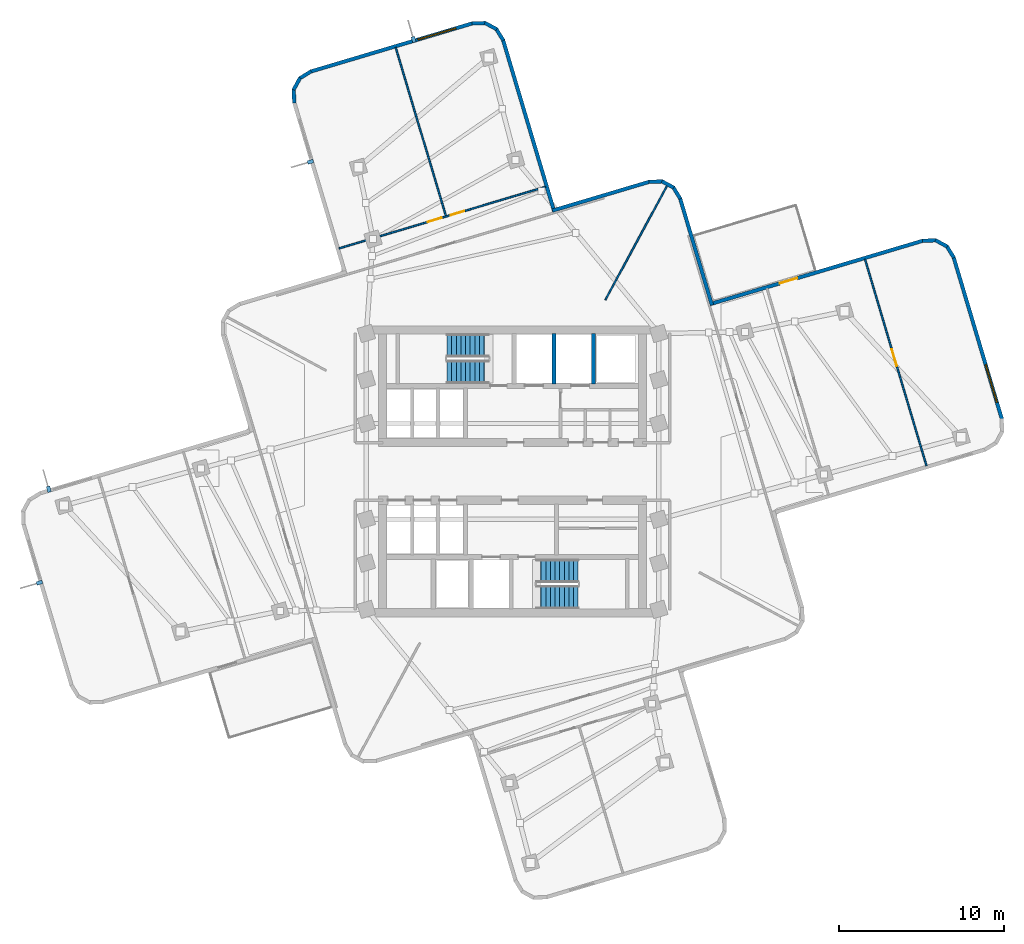
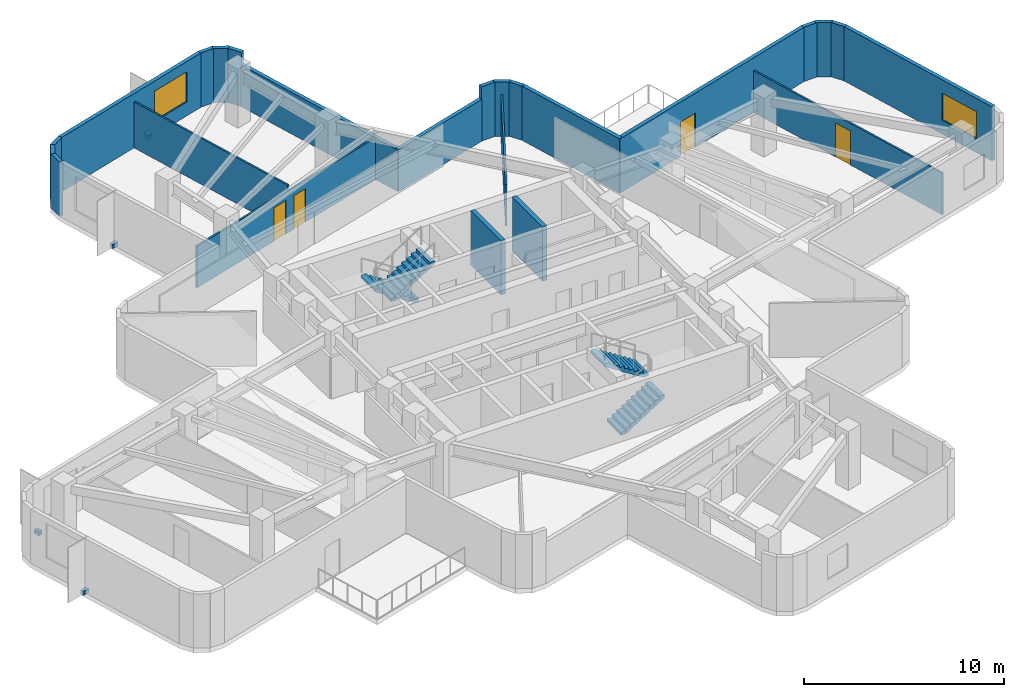
# One storey, part 5 of 8: 24 walls, 4 discrete accessories, 4 doors, 4 stair flights, 2 windows, 6 openings, 2 elements without a shape of their own.
"""IFC4 building model written with IfcOpenShell, lengths in metres."""

from ifc_helpers import new_model, si_unit, direction, frame, frame_2d, origin, origin_2d, place, context, subcontext, project, spatial, polyline, rectangle, outline, extrude, material, layer, layer_set, type_object, element, fill, aggregate, save


model = new_model("IFC4")

# Units and contexts
model_context = context("Model", 3, precision=1e-05, world=origin(), true_north=direction((0.0, 1.0)))
body_context = subcontext(model_context, "Body", "Model", "MODEL_VIEW")
ifc_project = project(units=[si_unit("LENGTHUNIT", "METRE"), si_unit("AREAUNIT", "SQUARE_METRE"), si_unit("VOLUMEUNIT", "CUBIC_METRE"), si_unit("PLANEANGLEUNIT", "RADIAN"), si_unit("MASSUNIT", "GRAM", prefix="KILO")], contexts=[model_context])

# Site, building, storey
site_placement = place(None, origin())
site = spatial("IfcSite", under=ifc_project, at=site_placement, CompositionType="ELEMENT")
building_placement = place(site_placement, origin())
building = spatial("IfcBuilding", under=site, at=building_placement, Name="Solmarez Civic Tower", CompositionType="ELEMENT")
storey_placement = place(building_placement, frame((0.0, 0.0, 145.080078125)))
storey = spatial("IfcBuildingStorey", under=building, at=storey_placement, Name="L38", CompositionType="ELEMENT", Elevation=145.080078125)

# Walls
ifc_material_1 = material(Name="Precast concrete C40/50", Category="concrete")
ifc_layer_1 = layer(ifc_material_1, 0.219970703125)
ifc_layer_set_1 = layer_set([ifc_layer_1], Name="Precast concrete C40/50")
wall_type_1 = type_object("IfcWallType", Name="WALL-EXT-220", PredefinedType="SOLIDWALL", material=ifc_layer_set_1)
wall_1_placement = place(storey_placement, frame((-13.221923828125, 22.31396484375, 0.0), z_axis=(0.0, 0.0, 1.0), x_axis=(-0.028969101418, 0.999580307511, 0.0)))
element("IfcWall", 1, at=wall_1_placement, inside=storey, type_object=wall_type_1, Name="L38 Exterior Precast Wall 21", PredefinedType="SOLIDWALL", context=body_context, shape_type="SweptSolid", body=[
    extrude(rectangle(XDim=0.834228515625, YDim=0.219970703125, at=frame_2d((0.4169921875, 0.0))), origin(), (0.0, 0.0, 1.0), 3.31982421875),
])
wall_2_placement = place(storey_placement, frame((-13.257080078125, 23.10107421875, 0.0), z_axis=(0.0, 0.0, 1.0), x_axis=(0.475928115507, 0.879484183411, 0.0)))
element("IfcWall", 2, at=wall_2_placement, inside=storey, type_object=wall_type_1, Name="L38 Exterior Precast Wall 22", PredefinedType="SOLIDWALL", context=body_context, shape_type="SweptSolid", body=[
    extrude(rectangle(XDim=0.81982421875, YDim=0.219970703125, at=frame_2d((0.409912109375, 0.0))), origin(), (0.0, 0.0, 1.0), 3.31982421875),
])
wall_3_placement = place(storey_placement, frame((-12.89990234375, 23.787109375, 0.0), z_axis=(0.0, 0.0, 1.0), x_axis=(0.852251459863, 0.52313234383, 0.0)))
element("IfcWall", 3, at=wall_3_placement, inside=storey, type_object=wall_type_1, Name="L38 Exterior Precast Wall 23", PredefinedType="SOLIDWALL", context=body_context, shape_type="SweptSolid", body=[
    extrude(rectangle(XDim=0.8330078125, YDim=0.219970703125, at=frame_2d((0.41650390625, 0.0))), origin(), (0.0, 0.0, 1.0), 3.31982421875),
])

# Wall, opening, window
wall_4_placement = place(storey_placement, frame((-12.235107421875, 24.202880859375, 0.0), z_axis=(0.0, 0.0, 1.0), x_axis=(0.958315018626, 0.28571371174, 0.0)))
wall_4 = element("IfcWall", 4, at=wall_4_placement, inside=storey, type_object=wall_type_1, Name="L38 Exterior Precast Wall 24", PredefinedType="SOLIDWALL", context=body_context, shape_type="SweptSolid", body=[
    extrude(rectangle(XDim=10.2412109375, YDim=0.219970703125, at=frame_2d((5.12060546875, 0.0))), origin(), (0.0, 0.0, 1.0), 3.31982421875),
])
opening_1_placement = place(wall_4_placement, frame((6.7880859375, 0.0, 0.85009765625)))
opening_1 = element("IfcOpeningElement", 5, at=opening_1_placement, cuts=wall_4, Name="Opening W-06", PredefinedType="OPENING", context=body_context, shape_type="SweptSolid", body=[
    extrude(rectangle(XDim=2.39990234375, YDim=1.85009765625, at=frame_2d((1.199951171875, 0.925048828125))), frame((0.0, 0.119873046875, 0.0), z_axis=(0.0, -1.0, 0.0), x_axis=(1.0, 0.0, 0.0)), (0.0, 0.0, 1.0), 0.239990234375),
])
ifc_material_2 = material(Name="Solar Control Bronze-Tinted Insulating Glass", Category="glass")
window_type_1 = type_object("IfcWindowType", Name="WIN-2400X1850", PartitioningType="SINGLE_PANEL", PredefinedType="WINDOW", material=ifc_material_2)
window_1_placement = place(opening_1_placement, origin())
window_1 = element("IfcWindow", 6, at=window_1_placement, inside=storey, type_object=window_type_1, Name="L38 Exterior Facade Window 24", OverallHeight=1.85009765625, OverallWidth=2.39990234375, PartitioningType="SINGLE_PANEL", PredefinedType="WINDOW", context=body_context, shape_type="SweptSolid", body=[
    extrude(rectangle(XDim=2.39990234375, YDim=1.85009765625, at=frame_2d((1.199951171875, 0.925048828125))), frame((0.0, 0.030029296875, 0.0), z_axis=(0.0, -1.0, 0.0), x_axis=(1.0, 0.0, 0.0)), (0.0, 0.0, 1.0), 0.06005859375),
])
fill(opening_1, window_1)

# Walls
wall_5_placement = place(storey_placement, frame((-2.469970703125, 27.12109375, 0.0), z_axis=(0.0, 0.0, 1.0), x_axis=(0.999588738122, 0.028676726094, 0.0)))
element("IfcWall", 7, at=wall_5_placement, inside=storey, type_object=wall_type_1, Name="L38 Exterior Precast Wall 25", PredefinedType="SOLIDWALL", context=body_context, shape_type="SweptSolid", body=[
    extrude(rectangle(XDim=0.834228515625, YDim=0.219970703125, at=frame_2d((0.4169921875, 0.0))), origin(), (0.0, 0.0, 1.0), 3.31982421875),
])
wall_6_placement = place(storey_placement, frame((-1.68310546875, 27.156005859375, 0.0), z_axis=(0.0, 0.0, 1.0), x_axis=(0.879676210785, -0.475573090259, 0.0)))
element("IfcWall", 8, at=wall_6_placement, inside=storey, type_object=wall_type_1, Name="L38 Exterior Precast Wall 26", PredefinedType="SOLIDWALL", context=body_context, shape_type="SweptSolid", body=[
    extrude(rectangle(XDim=0.81982421875, YDim=0.219970703125, at=frame_2d((0.409912109375, 0.0))), origin(), (0.0, 0.0, 1.0), 3.31982421875),
])
wall_7_placement = place(storey_placement, frame((-0.9970703125, 26.799072265625, 0.0), z_axis=(0.0, 0.0, 1.0), x_axis=(0.524195456684, -0.851597982144, 0.0)))
element("IfcWall", 9, at=wall_7_placement, inside=storey, type_object=wall_type_1, Name="L38 Exterior Precast Wall 27", PredefinedType="SOLIDWALL", context=body_context, shape_type="SweptSolid", body=[
    extrude(rectangle(XDim=0.833740234375, YDim=0.219970703125, at=frame_2d((0.4169921875, 0.0))), origin(), (0.0, 0.0, 1.0), 3.31982421875),
])
wall_8_placement = place(storey_placement, frame((-0.580078125, 26.134033203125, 0.0), z_axis=(0.0, 0.0, 1.0), x_axis=(0.285596101976, -0.958350075148, 0.0)))
element("IfcWall", 10, at=wall_8_placement, inside=storey, type_object=wall_type_1, Name="L38 Exterior Precast Wall 28", PredefinedType="SOLIDWALL", context=body_context, shape_type="SweptSolid", body=[
    extrude(rectangle(XDim=10.858154296875, YDim=0.219970703125, at=frame_2d((5.42919921875, 0.0))), origin(), (0.0, 0.0, 1.0), 2.5498046875),
])
wall_9_placement = place(storey_placement, frame((2.412109375, 15.787109375, 0.0), z_axis=(0.0, 0.0, 1.0), x_axis=(0.958315274342, 0.285712854037, 0.0)))
element("IfcWall", 11, at=wall_9_placement, inside=storey, type_object=wall_type_1, Name="L38 Exterior Precast Wall 31", PredefinedType="SOLIDWALL", context=body_context, shape_type="SweptSolid", body=[
    extrude(rectangle(XDim=6.138671875, YDim=0.219970703125, at=frame_2d((3.0693359375, 0.0))), origin(), (0.0, 0.0, 1.0), 2.5498046875),
])
wall_10_placement = place(storey_placement, frame((8.24609375, 17.532958984375, 0.0), z_axis=(0.0, 0.0, 1.0), x_axis=(0.999588738122, 0.028676726094, 0.0)))
element("IfcWall", 12, at=wall_10_placement, inside=storey, type_object=wall_type_1, Name="L38 Exterior Precast Wall 32", PredefinedType="SOLIDWALL", context=body_context, shape_type="SweptSolid", body=[
    extrude(rectangle(XDim=0.834228515625, YDim=0.219970703125, at=frame_2d((0.4169921875, 0.0))), origin(), (0.0, 0.0, 1.0), 3.31982421875),
])
wall_11_placement = place(storey_placement, frame((9.032958984375, 17.568115234375, 0.0), z_axis=(0.0, 0.0, 1.0), x_axis=(0.879484183411, -0.475928115507, 0.0)))
element("IfcWall", 13, at=wall_11_placement, inside=storey, type_object=wall_type_1, Name="L38 Exterior Precast Wall 33", PredefinedType="SOLIDWALL", context=body_context, shape_type="SweptSolid", body=[
    extrude(rectangle(XDim=0.81982421875, YDim=0.219970703125, at=frame_2d((0.409912109375, 0.0))), origin(), (0.0, 0.0, 1.0), 3.31982421875),
])
wall_12_placement = place(storey_placement, frame((9.718994140625, 17.2109375, 0.0), z_axis=(0.0, 0.0, 1.0), x_axis=(0.524195456684, -0.851597982144, 0.0)))
element("IfcWall", 14, at=wall_12_placement, inside=storey, type_object=wall_type_1, Name="L38 Exterior Precast Wall 34", PredefinedType="SOLIDWALL", context=body_context, shape_type="SweptSolid", body=[
    extrude(rectangle(XDim=0.833740234375, YDim=0.219970703125, at=frame_2d((0.4169921875, 0.0))), origin(), (0.0, 0.0, 1.0), 3.31982421875),
])
wall_13_placement = place(storey_placement, frame((10.135986328125, 16.5458984375, 0.0), z_axis=(0.0, 0.0, 1.0), x_axis=(0.285607207592, -0.958346765514, 0.0)))
element("IfcWall", 15, at=wall_13_placement, inside=storey, type_object=wall_type_1, Name="L38 Exterior Precast Wall 35", PredefinedType="SOLIDWALL", context=body_context, shape_type="SweptSolid", body=[
    extrude(rectangle(XDim=6.75732421875, YDim=0.219970703125, at=frame_2d((3.378662109375, 0.0))), origin(), (0.0, 0.0, 1.0), 3.31982421875),
])

# Wall, opening, door
wall_14_placement = place(storey_placement, frame((11.95703125, 10.12890625, 0.0), z_axis=(0.0, 0.0, 1.0), x_axis=(0.958343962332, 0.285616613419, 0.0)))
wall_14 = element("IfcWall", 16, at=wall_14_placement, inside=storey, type_object=wall_type_1, Name="L38 Exterior Precast Wall 38", PredefinedType="SOLIDWALL", context=body_context, shape_type="SweptSolid", body=[
    extrude(rectangle(XDim=13.45849609375, YDim=0.219970703125, at=frame_2d((6.729248046875, 0.0))), origin(), (0.0, 0.0, 1.0), 3.31982421875),
])
opening_2_placement = place(wall_14_placement, frame((4.39990234375, 0.0, 0.0)))
opening_2 = element("IfcOpeningElement", 17, at=opening_2_placement, cuts=wall_14, Name="Opening D-06", PredefinedType="OPENING", context=body_context, shape_type="SweptSolid", body=[
    extrude(rectangle(XDim=1.10009765625, YDim=2.10009765625, at=frame_2d((0.550048828125, 1.050048828125))), frame((0.0, 0.119873046875, 0.0), z_axis=(0.0, -1.0, 0.0), x_axis=(1.0, 0.0, 0.0)), (0.0, 0.0, 1.0), 0.239990234375),
])
ifc_material_3 = material(Name="Bronze Anodised Aluminium Glazed Terrace Door", Category="aluminium")
door_type_1 = type_object("IfcDoorType", Name="DOOR-TERR-1100", OperationType="NOTDEFINED", PredefinedType="DOOR", material=ifc_material_3)
door_1_placement = place(opening_2_placement, origin())
door_1 = element("IfcDoor", 18, at=door_1_placement, inside=storey, type_object=door_type_1, Name="L38 Outdoor Terrace Glazed Door", OperationType="SINGLE_SWING_RIGHT", OverallHeight=2.10009765625, OverallWidth=1.10009765625, PredefinedType="DOOR", context=body_context, shape_type="SweptSolid", body=[
    extrude(rectangle(XDim=1.10009765625, YDim=2.10009765625, at=frame_2d((0.550048828125, 1.050048828125))), frame((0.0, 0.02490234375, 0.0), z_axis=(0.0, -1.0, 0.0), x_axis=(1.0, 0.0, 0.0)), (0.0, 0.0, 1.0), 0.050048828125),
])
fill(opening_2, door_1)

# Walls
wall_15_placement = place(storey_placement, frame((24.805908203125, 13.965087890625, 0.0), z_axis=(0.0, 0.0, 1.0), x_axis=(0.999587773882, 0.028710317069, 0.0)))
element("IfcWall", 19, at=wall_15_placement, inside=storey, type_object=wall_type_1, Name="L38 Exterior Precast Wall 39", PredefinedType="SOLIDWALL", context=body_context, shape_type="SweptSolid", body=[
    extrude(rectangle(XDim=0.833251953125, YDim=0.219970703125, at=frame_2d((0.41650390625, 0.0))), origin(), (0.0, 0.0, 1.0), 3.31982421875),
])
wall_16_placement = place(storey_placement, frame((25.592041015625, 14.0, 0.0), z_axis=(0.0, 0.0, 1.0), x_axis=(0.879608832869, -0.47569769932, 0.0)))
element("IfcWall", 20, at=wall_16_placement, inside=storey, type_object=wall_type_1, Name="L38 Exterior Precast Wall 40", PredefinedType="SOLIDWALL", context=body_context, shape_type="SweptSolid", body=[
    extrude(rectangle(XDim=0.819580078125, YDim=0.219970703125, at=frame_2d((0.40966796875, 0.0))), origin(), (0.0, 0.0, 1.0), 3.31982421875),
])
wall_17_placement = place(storey_placement, frame((26.278076171875, 13.64306640625, 0.0), z_axis=(0.0, 0.0, 1.0), x_axis=(0.524195456684, -0.851597982144, 0.0)))
element("IfcWall", 21, at=wall_17_placement, inside=storey, type_object=wall_type_1, Name="L38 Exterior Precast Wall 41", PredefinedType="SOLIDWALL", context=body_context, shape_type="SweptSolid", body=[
    extrude(rectangle(XDim=0.833740234375, YDim=0.219970703125, at=frame_2d((0.4169921875, 0.0))), origin(), (0.0, 0.0, 1.0), 3.31982421875),
])

# Wall, opening, window
wall_18_placement = place(storey_placement, frame((26.695068359375, 12.97802734375, 0.0), z_axis=(0.0, 0.0, 1.0), x_axis=(0.285720239165, -0.958313072504, 0.0)))
wall_18 = element("IfcWall", 22, at=wall_18_placement, inside=storey, type_object=wall_type_1, Name="L38 Exterior Precast Wall 42", PredefinedType="SOLIDWALL", context=body_context, shape_type="SweptSolid", body=[
    extrude(rectangle(XDim=10.240966796875, YDim=0.219970703125, at=frame_2d((5.12060546875, 0.0))), origin(), (0.0, 0.0, 1.0), 3.31982421875),
])
opening_3_placement = place(wall_18_placement, frame((6.7880859375, 0.0, 0.85009765625)))
opening_3 = element("IfcOpeningElement", 23, at=opening_3_placement, cuts=wall_18, Name="Opening W-10", PredefinedType="OPENING", context=body_context, shape_type="SweptSolid", body=[
    extrude(rectangle(XDim=2.39990234375, YDim=1.64990234375, at=frame_2d((1.199951171875, 0.824951171875))), frame((0.0, 0.119873046875, 0.0), z_axis=(0.0, -1.0, 0.0), x_axis=(1.0, 0.0, 0.0)), (0.0, 0.0, 1.0), 0.239990234375),
])
window_type_2 = type_object("IfcWindowType", Name="WIN-2400X1650", PartitioningType="SINGLE_PANEL", PredefinedType="WINDOW", material=ifc_material_2)
window_2_placement = place(opening_3_placement, origin())
window_2 = element("IfcWindow", 24, at=window_2_placement, inside=storey, type_object=window_type_2, Name="L38 Exterior Facade Window 42", OverallHeight=1.64990234375, OverallWidth=2.39990234375, PartitioningType="SINGLE_PANEL", PredefinedType="WINDOW", context=body_context, shape_type="SweptSolid", body=[
    extrude(rectangle(XDim=2.39990234375, YDim=1.64990234375, at=frame_2d((1.199951171875, 0.824951171875))), frame((0.0, 0.030029296875, 0.0), z_axis=(0.0, -1.0, 0.0), x_axis=(1.0, 0.0, 0.0)), (0.0, 0.0, 1.0), 0.06005859375),
])
fill(opening_3, window_2)

# Wall
ifc_material_4 = material(Name="Gypsum Board Acoustic Steel-Stud Partition", Category="steel")
ifc_layer_2 = layer(ifc_material_4, 0.10009765625)
ifc_layer_set_2 = layer_set([ifc_layer_2], Name="Gypsum Board Acoustic Steel-Stud Partition")
wall_type_2 = type_object("IfcWallType", Name="WALL-INT-PART-100", PredefinedType="PARTITIONING", material=ifc_layer_set_2)
wall_19_placement = place(storey_placement, frame((5.612060546875, 10.3798828125, 0.0), z_axis=(0.0, 0.0, 1.0), x_axis=(0.475666815962, 0.879625534073, 0.0)))
element("IfcWall", 25, at=wall_19_placement, inside=storey, type_object=wall_type_2, Name="L38 Interior Partition PT-L38-QDIV-1", PredefinedType="PARTITIONING", context=body_context, shape_type="SweptSolid", body=[
    extrude(rectangle(XDim=7.875, YDim=0.10009765625, at=frame_2d((3.9375, 0.0))), origin(), (0.0, 0.0, 1.0), 2.5498046875),
])

# Wall, opening, door
wall_20_placement = place(storey_placement, frame((21.330078125, 12.843994140625, 0.0), z_axis=(0.0, 0.0, 1.0), x_axis=(0.285674008308, -0.958326854981, 0.0)))
wall_20 = element("IfcWall", 26, at=wall_20_placement, inside=storey, type_object=wall_type_2, Name="L38 Interior Partition PT-L38-E-SC2", PredefinedType="PARTITIONING", context=body_context, shape_type="SweptSolid", body=[
    extrude(rectangle(XDim=13.050048828125, YDim=0.10009765625, at=frame_2d((6.52490234375, 0.0))), origin(), (0.0, 0.0, 1.0), 2.5498046875),
])
opening_4_placement = place(wall_20_placement, frame((5.68994140625, 0.0, 0.0)))
opening_4 = element("IfcOpeningElement", 27, at=opening_4_placement, cuts=wall_20, Name="Opening D-13", PredefinedType="OPENING", context=body_context, shape_type="SweptSolid", body=[
    extrude(rectangle(XDim=1.050048828125, YDim=2.080078125, at=frame_2d((0.52490234375, 1.0400390625))), frame((0.0, 0.06005859375, 0.0), z_axis=(0.0, -1.0, 0.0), x_axis=(1.0, 0.0, 0.0)), (0.0, 0.0, 1.0), 0.1201171875),
])
ifc_material_5 = material(Name="Timber Directorate Office Door", Category="wood")
door_type_2 = type_object("IfcDoorType", Name="DOOR-INT-1050", OperationType="NOTDEFINED", PredefinedType="DOOR", material=ifc_material_5)
door_2_placement = place(opening_4_placement, origin())
door_2 = element("IfcDoor", 28, at=door_2_placement, inside=storey, type_object=door_type_2, Name="L38 Legal Counselling Room East Door", OperationType="SINGLE_SWING_RIGHT", OverallHeight=2.080078125, OverallWidth=1.050048828125, PredefinedType="DOOR", context=body_context, shape_type="SweptSolid", body=[
    extrude(rectangle(XDim=1.050048828125, YDim=2.080078125, at=frame_2d((0.52490234375, 1.0400390625))), frame((0.0, 0.02490234375, 0.0), z_axis=(0.0, -1.0, 0.0), x_axis=(1.0, 0.0, 0.0)), (0.0, 0.0, 1.0), 0.050048828125),
])
fill(opening_4, door_2)

# Wall
wall_21_placement = place(storey_placement, frame((-4.0439453125, 15.489990234375, 0.0), z_axis=(0.0, 0.0, 1.0), x_axis=(-0.285623556367, 0.958341893088, 0.0)))
element("IfcWall", 29, at=wall_21_placement, inside=storey, type_object=wall_type_2, Name="L38 Interior Partition PT-L38-N-TSP", PredefinedType="PARTITIONING", context=body_context, shape_type="SweptSolid", body=[
    extrude(rectangle(XDim=10.615234375, YDim=0.10009765625, at=frame_2d((5.3076171875, 0.0))), origin(), (0.0, 0.0, 1.0), 2.81201171875),
])

# Wall, openings, doors
wall_22_placement = place(storey_placement, frame((1.99609375, 17.22802734375, 0.0), z_axis=(0.0, 0.0, 1.0), x_axis=(-0.958326854981, -0.285674008308, 0.0)))
wall_22 = element("IfcWall", 30, at=wall_22_placement, inside=storey, type_object=wall_type_2, Name="L38 Interior Partition PT-L38-N-SCUT", PredefinedType="PARTITIONING", context=body_context, shape_type="SweptSolid", body=[
    extrude(rectangle(XDim=13.050048828125, YDim=0.10009765625, at=frame_2d((6.52490234375, 0.0))), origin(), (0.0, 0.0, 1.0), 2.5498046875),
])
opening_5_placement = place(wall_22_placement, frame((5.135009765625, 0.0, 0.0)))
opening_5 = element("IfcOpeningElement", 31, at=opening_5_placement, cuts=wall_22, Name="Opening D-14", PredefinedType="OPENING", context=body_context, shape_type="SweptSolid", body=[
    extrude(rectangle(XDim=0.860107421875, YDim=2.0400390625, at=frame_2d((0.43017578125, 1.02001953125))), frame((0.0, 0.06005859375, 0.0), z_axis=(0.0, -1.0, 0.0), x_axis=(1.0, 0.0, 0.0)), (0.0, 0.0, 1.0), 0.1201171875),
])
opening_6_placement = place(wall_22_placement, frame((6.574951171875, 0.0, 0.0)))
opening_6 = element("IfcOpeningElement", 32, at=opening_6_placement, cuts=wall_22, Name="Opening D-14", PredefinedType="OPENING", context=body_context, shape_type="SweptSolid", body=[
    extrude(rectangle(XDim=0.860107421875, YDim=2.0400390625, at=frame_2d((0.43017578125, 1.02001953125))), frame((0.0, 0.06005859375, 0.0), z_axis=(0.0, -1.0, 0.0), x_axis=(1.0, 0.0, 0.0)), (0.0, 0.0, 1.0), 0.1201171875),
])
ifc_material_6 = material(Name="Timber Storage and Pantry Door", Category="wood")
door_type_3 = type_object("IfcDoorType", Name="DOOR-INT-850", OperationType="NOTDEFINED", PredefinedType="DOOR", material=ifc_material_6)
door_3_placement = place(opening_5_placement, origin())
door_3 = element("IfcDoor", 33, at=door_3_placement, inside=storey, type_object=door_type_3, Name="L38 Legal Counselling Room Third North Door", OperationType="SINGLE_SWING_RIGHT", OverallHeight=2.0400390625, OverallWidth=0.860107421875, PredefinedType="DOOR", context=body_context, shape_type="SweptSolid", body=[
    extrude(rectangle(XDim=0.860107421875, YDim=2.0400390625, at=frame_2d((0.43017578125, 1.02001953125))), frame((0.0, 0.02490234375, 0.0), z_axis=(0.0, -1.0, 0.0), x_axis=(1.0, 0.0, 0.0)), (0.0, 0.0, 1.0), 0.050048828125),
])
fill(opening_5, door_3)
door_4_placement = place(opening_6_placement, origin())
door_4 = element("IfcDoor", 34, at=door_4_placement, inside=storey, type_object=door_type_3, Name="L38 Directorate Office Second North Door", OperationType="SINGLE_SWING_LEFT", OverallHeight=2.0400390625, OverallWidth=0.860107421875, PredefinedType="DOOR", context=body_context, shape_type="SweptSolid", body=[
    extrude(rectangle(XDim=0.860107421875, YDim=2.0400390625, at=frame_2d((0.43017578125, 1.02001953125))), frame((0.0, 0.02490234375, 0.0), z_axis=(0.0, -1.0, 0.0), x_axis=(1.0, 0.0, 0.0)), (0.0, 0.0, 1.0), 0.050048828125),
])
fill(opening_6, door_4)

# Walls
ifc_material_7 = material(Name="Concrete C50/60", Category="concrete")
ifc_layer_3 = layer(ifc_material_7, 0.300048828125)
ifc_layer_set_3 = layer_set([ifc_layer_3], Name="Concrete C50/60")
wall_type_3 = type_object("IfcWallType", Name="WALL-STR-300", PredefinedType="SOLIDWALL", material=ifc_layer_set_3)
for number, where, z_axis, x_axis, name in (
    (35, (2.5, 5.300048828125, 0.0), (0.0, 0.0, 1.0), (0.0, 1.0, 0.0), "L38 Split-Core Structural Wall SHW-N2-L38"),
    (36, (4.89990234375, 5.300048828125, 0.0), (0.0, 0.0, 1.0), (0.0, 1.0, 0.0), "L38 Split-Core Structural Wall SHW-N3-L38"),
):
    element("IfcWall", number, at=place(storey_placement, frame(where, z_axis=z_axis, x_axis=x_axis)), inside=storey, type_object=wall_type_3, Name=name, PredefinedType="SOLIDWALL", context=body_context, shape_type="SweptSolid", body=[
        extrude(rectangle(XDim=3.0400390625, YDim=0.25, at=frame_2d((1.52001953125, 0.0))), origin(), (0.0, 0.0, 1.0), 3.31982421875),
    ])

# Stair, stair flights
stair_type = type_object("IfcStairType", Name="STAIR-DOGLEG-140W-20R-1800", PredefinedType="HALF_TURN_STAIR", material=ifc_material_7)
stair_1_placement = place(storey_placement, origin())
stair_1 = element("IfcStair", 37, at=stair_1_placement, inside=storey, type_object=stair_type, Name="L38 North Core Protected Exit Stair ST-1", PredefinedType="HALF_TURN_STAIR")
stair_flight_type = type_object("IfcStairFlightType", Name="FLIGHT-DOGLEG-140W-10R-1800", PredefinedType="STRAIGHT", material=ifc_material_7)
stair_flight_1_placement = place(storey_placement, frame((-1.449951171875, 7.6201171875, 0.0), z_axis=(0.0, 0.0, 1.0), x_axis=(-1.0, 0.0, 0.0)))
stair_flight_1 = element("IfcStairFlight", 38, at=stair_flight_1_placement, type_object=stair_flight_type, Name="ST-1 flight 1", NumberOfRisers=10, NumberOfTreads=9, PredefinedType="STRAIGHT", RiserHeight=0.18, TreadLength=0.28, context=body_context, shape_type="SweptSolid", body=[
    extrude(outline(polyline([(0.0, 0.0), (0.0, 0.179931640625), (0.280029296875, 0.179931640625), (0.280029296875, 0.360107421875), (0.56005859375, 0.360107421875), (0.56005859375, 0.5400390625), (0.840087890625, 0.5400390625), (0.840087890625, 0.719970703125), (1.1201171875, 0.719970703125), (1.1201171875, 0.89990234375), (1.39990234375, 0.89990234375), (1.39990234375, 1.080078125), (1.679931640625, 1.080078125), (1.679931640625, 1.260009765625), (1.9599609375, 1.260009765625), (1.9599609375, 1.43994140625), (2.239990234375, 1.43994140625), (2.239990234375, 1.6201171875), (2.52001953125, 1.6201171875), (2.52001953125, 1.800048828125), (2.52001953125, 1.429931640625), (0.295654296875, 0.0), (0.0, 0.0)])), frame((0.0, 0.699951171875, 0.0), z_axis=(0.0, -1.0, 0.0), x_axis=(1.0, 0.0, 0.0)), (0.0, 0.0, 1.0), 1.39990234375),
])
stair_flight_2_placement = place(storey_placement, frame((-3.969970703125, 6.02001953125, 1.7998046875), z_axis=(0.0, 0.0, 1.0), x_axis=(1.0, 0.0, 0.0)))
stair_flight_2 = element("IfcStairFlight", 39, at=stair_flight_2_placement, type_object=stair_flight_type, Name="ST-1 flight 2", NumberOfRisers=10, NumberOfTreads=9, PredefinedType="STRAIGHT", RiserHeight=0.18, TreadLength=0.28, context=body_context, shape_type="SweptSolid", body=[
    extrude(outline(polyline([(0.0, 0.0), (0.0, 0.179931640625), (0.280029296875, 0.179931640625), (0.280029296875, 0.360107421875), (0.56005859375, 0.360107421875), (0.56005859375, 0.5400390625), (0.840087890625, 0.5400390625), (0.840087890625, 0.719970703125), (1.1201171875, 0.719970703125), (1.1201171875, 0.89990234375), (1.39990234375, 0.89990234375), (1.39990234375, 1.080078125), (1.679931640625, 1.080078125), (1.679931640625, 1.260009765625), (1.9599609375, 1.260009765625), (1.9599609375, 1.43994140625), (2.239990234375, 1.43994140625), (2.239990234375, 1.6201171875), (2.52001953125, 1.6201171875), (2.52001953125, 1.800048828125), (2.52001953125, 1.429931640625), (0.295654296875, 0.0), (0.0, 0.0)])), frame((0.0, 0.699951171875, 0.0), z_axis=(0.0, -1.0, 0.0), x_axis=(1.0, 0.0, 0.0)), (0.0, 0.0, 1.0), 1.39990234375),
])
aggregate(stair_1, [stair_flight_1, stair_flight_2])

stair_2_placement = place(storey_placement, origin())
stair_2 = element("IfcStair", 40, at=stair_2_placement, inside=storey, type_object=stair_type, Name="L38 South Core Protected Exit Stair ST-2", PredefinedType="HALF_TURN_STAIR")
stair_flight_3_placement = place(storey_placement, frame((1.449951171875, -7.6201171875, 0.0), z_axis=(0.0, 0.0, 1.0), x_axis=(1.0, 0.0, 0.0)))
stair_flight_3 = element("IfcStairFlight", 41, at=stair_flight_3_placement, type_object=stair_flight_type, Name="ST-2 flight 1", NumberOfRisers=10, NumberOfTreads=9, PredefinedType="STRAIGHT", RiserHeight=0.18, TreadLength=0.28, context=body_context, shape_type="SweptSolid", body=[
    extrude(outline(polyline([(0.0, 0.0), (0.0, 0.179931640625), (0.280029296875, 0.179931640625), (0.280029296875, 0.360107421875), (0.56005859375, 0.360107421875), (0.56005859375, 0.5400390625), (0.840087890625, 0.5400390625), (0.840087890625, 0.719970703125), (1.1201171875, 0.719970703125), (1.1201171875, 0.89990234375), (1.39990234375, 0.89990234375), (1.39990234375, 1.080078125), (1.679931640625, 1.080078125), (1.679931640625, 1.260009765625), (1.9599609375, 1.260009765625), (1.9599609375, 1.43994140625), (2.239990234375, 1.43994140625), (2.239990234375, 1.6201171875), (2.52001953125, 1.6201171875), (2.52001953125, 1.800048828125), (2.52001953125, 1.429931640625), (0.295654296875, 0.0), (0.0, 0.0)])), frame((0.0, 0.699951171875, 0.0), z_axis=(0.0, -1.0, 0.0), x_axis=(1.0, 0.0, 0.0)), (0.0, 0.0, 1.0), 1.39990234375),
])
stair_flight_4_placement = place(storey_placement, frame((3.969970703125, -6.02001953125, 1.7998046875), z_axis=(0.0, 0.0, 1.0), x_axis=(-1.0, 0.0, 0.0)))
stair_flight_4 = element("IfcStairFlight", 42, at=stair_flight_4_placement, type_object=stair_flight_type, Name="ST-2 flight 2", NumberOfRisers=10, NumberOfTreads=9, PredefinedType="STRAIGHT", RiserHeight=0.18, TreadLength=0.28, context=body_context, shape_type="SweptSolid", body=[
    extrude(outline(polyline([(0.0, 0.0), (0.0, 0.179931640625), (0.280029296875, 0.179931640625), (0.280029296875, 0.360107421875), (0.56005859375, 0.360107421875), (0.56005859375, 0.5400390625), (0.840087890625, 0.5400390625), (0.840087890625, 0.719970703125), (1.1201171875, 0.719970703125), (1.1201171875, 0.89990234375), (1.39990234375, 0.89990234375), (1.39990234375, 1.080078125), (1.679931640625, 1.080078125), (1.679931640625, 1.260009765625), (1.9599609375, 1.260009765625), (1.9599609375, 1.43994140625), (2.239990234375, 1.43994140625), (2.239990234375, 1.6201171875), (2.52001953125, 1.6201171875), (2.52001953125, 1.800048828125), (2.52001953125, 1.429931640625), (0.295654296875, 0.0), (0.0, 0.0)])), frame((0.0, 0.699951171875, 0.0), z_axis=(0.0, -1.0, 0.0), x_axis=(1.0, 0.0, 0.0)), (0.0, 0.0, 1.0), 1.39990234375),
])
aggregate(stair_2, [stair_flight_3, stair_flight_4])

# Discrete accessories
ifc_material_8 = material(Name="Stainless Steel Grade 1.4401", Category="steel")
discrete_accessory_type = type_object("IfcDiscreteAccessoryType", Name="BRACKET-SS-FIN", PredefinedType="BRACKET", material=ifc_material_8)
for number, where, z_axis, x_axis, name in (
    (43, (-28.639892578125, -6.735107421875, -0.06005859375), (0.0, 0.0, 1.0), (-0.958305675755, -0.285745046879, 0.0), "L38 Stainless Fin Support Bracket FIN-L38-01"),
    (44, (-28.073974609375, -1.074951171875, -0.06005859375), (0.0, 0.0, 1.0), (-0.285628870877, 0.958340309139, 0.0), "L38 Stainless Fin Support Bracket FIN-L38-02"),
    (45, (-12.236083984375, 18.74609375, -0.06005859375), (0.0, 0.0, 1.0), (-0.958347212051, -0.285605709247, 0.0), "L38 Stainless Fin Support Bracket FIN-L38-03"),
    (46, (-5.991943359375, 26.14794921875, -0.06005859375), (0.0, 0.0, 1.0), (-0.285745046879, 0.958305675755, 0.0), "L38 Stainless Fin Support Bracket FIN-L38-04"),
):
    element("IfcDiscreteAccessory", number, at=place(storey_placement, frame(where, z_axis=z_axis, x_axis=x_axis)), inside=storey, type_object=discrete_accessory_type, Name=name, PredefinedType="BRACKET", context=body_context, shape_type="SweptSolid", body=[
        extrude(rectangle(XDim=0.360107421875, YDim=0.219970703125, at=origin_2d()), origin(), (0.0, 0.0, 1.0), 0.239990234375),
    ])

save(model, "model.ifc")
